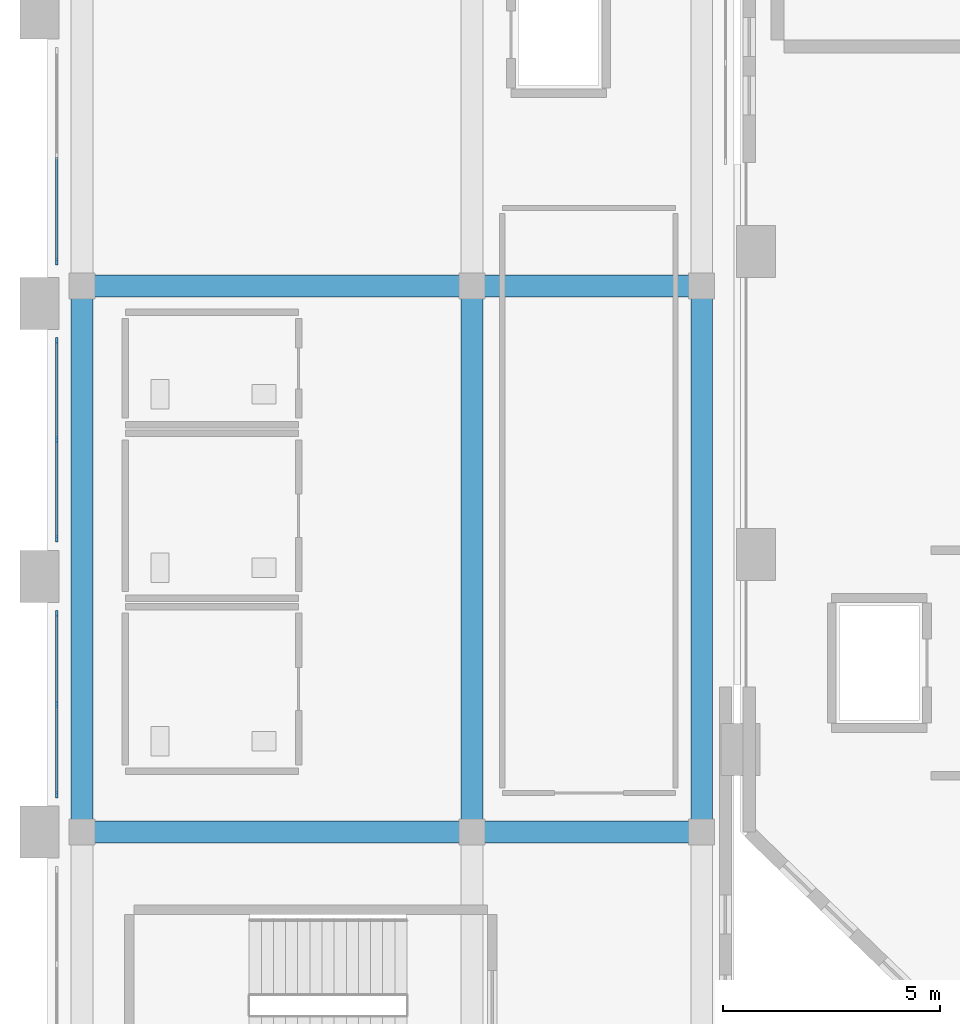
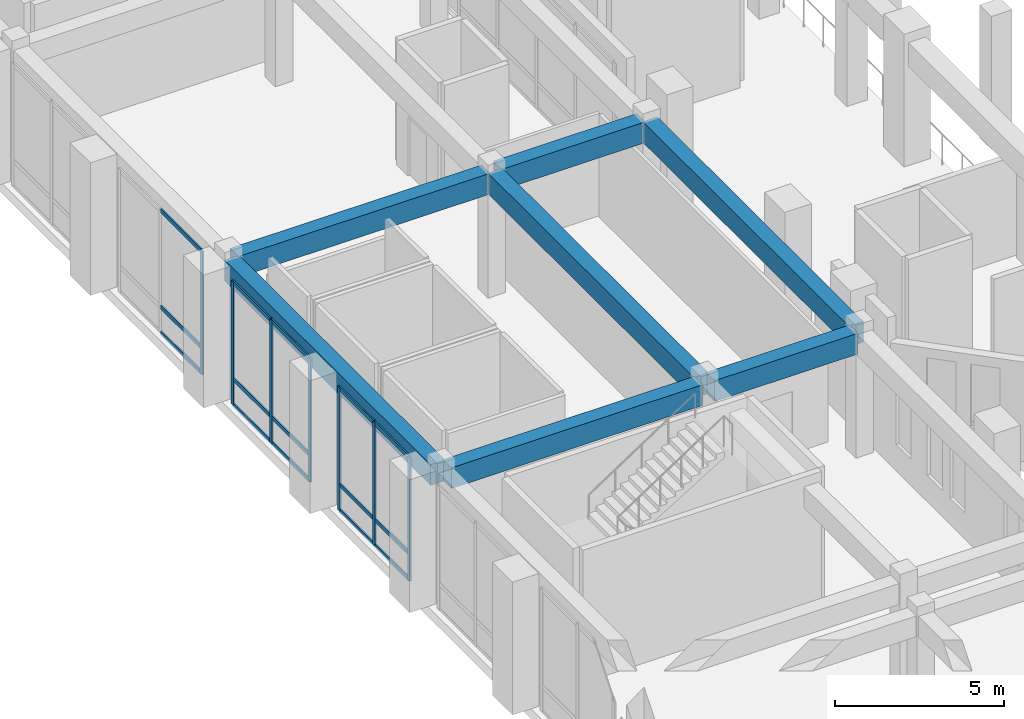
# One storey, part 22 of 126: 22 members, 7 beams, 3 elements without a shape of their own.
"""IFC4 building model written with IfcOpenShell, lengths in metres."""

from ifc_helpers import new_model, si_unit, derived_unit, direction, frame, origin, origin_2d, place, context, subcontext, project, spatial, rectangle, extrude, material, layer, layer_set, material_profile, profile_set, type_object, element, aggregate, save


model = new_model("IFC4")

# Units and contexts
model_context = context("Model", 3, precision=1e-05, world=origin(), true_north=direction((0.0, 1.0)))
body_context = subcontext(model_context, "Body", "Model", "MODEL_VIEW")
ifc_project = project(units=[si_unit("LENGTHUNIT", "METRE"), si_unit("AREAUNIT", "SQUARE_METRE"), si_unit("VOLUMEUNIT", "CUBIC_METRE"), si_unit("PLANEANGLEUNIT", "RADIAN"), si_unit("MASSUNIT", "GRAM", prefix="KILO"), derived_unit("THERMALTRANSMITTANCEUNIT", [(si_unit("MASSUNIT", "GRAM", prefix="KILO"), 1), (si_unit("TIMEUNIT", "SECOND"), -3), (si_unit("THERMODYNAMICTEMPERATUREUNIT", "KELVIN"), -1)])], contexts=[model_context])

# Site, building, storey
site_placement = place(None, origin())
site = spatial("IfcSite", under=ifc_project, at=site_placement, CompositionType="ELEMENT")
building_placement = place(site_placement, origin())
building = spatial("IfcBuilding", under=site, at=building_placement, Name="Valcora Ridge Arena", CompositionType="ELEMENT")
storey_placement = place(building_placement, frame((0.0, 0.0, 11.39990234375)))
storey = spatial("IfcBuildingStorey", under=building, at=storey_placement, Name="L02", CompositionType="ELEMENT", Elevation=11.39990234375)

# Beams
ifc_material_1 = material(Name="Concrete C40/50", Category="concrete")
ifc_material_profile_1 = material_profile(ifc_material_1, rectangle(XDim=0.5, YDim=0.75, at=origin_2d()), Name="RC 500x750")
ifc_profile_set_1 = profile_set([ifc_material_profile_1], Name="Concrete C40/50")
beam_type_1 = type_object("IfcBeamType", Name="TY-BEAM-B-RC500-X", PredefinedType="BEAM", material=ifc_profile_set_1)
beam_1_placement = place(storey_placement, frame((1.0, 32.60009765625, 4.0751953125), z_axis=(1.0, 0.0, 0.0), x_axis=(0.0, 1.0, 0.0)))
element("IfcBeam", 1, at=beam_1_placement, inside=storey, type_object=beam_type_1, Name="B-RC500-X BEM-B-RC500-X-0067", PredefinedType="BEAM", context=body_context, shape_type="SweptSolid", body=[
    extrude(rectangle(XDim=0.5, YDim=0.75, at=origin_2d()), origin(), (0.0, 0.0, 1.0), 8.60009765625),
])
beam_2_placement = place(storey_placement, frame((10.0, 32.60009765625, 4.0751953125), z_axis=(1.0, 0.0, 0.0), x_axis=(0.0, 1.0, 0.0)))
element("IfcBeam", 2, at=beam_2_placement, inside=storey, type_object=beam_type_1, Name="B-RC500-X BEM-B-RC500-X-0068", PredefinedType="BEAM", context=body_context, shape_type="SweptSolid", body=[
    extrude(rectangle(XDim=0.5, YDim=0.75, at=origin_2d()), origin(), (0.0, 0.0, 1.0), 4.89990234375),
])
beam_3_placement = place(storey_placement, frame((1.0, 45.199951171875, 4.0751953125), z_axis=(1.0, 0.0, 0.0), x_axis=(0.0, 1.0, 0.0)))
element("IfcBeam", 3, at=beam_3_placement, inside=storey, type_object=beam_type_1, Name="B-RC500-X BEM-B-RC500-X-0069", PredefinedType="BEAM", context=body_context, shape_type="SweptSolid", body=[
    extrude(rectangle(XDim=0.5, YDim=0.75, at=origin_2d()), origin(), (0.0, 0.0, 1.0), 8.60009765625),
])
beam_4_placement = place(storey_placement, frame((10.0, 45.199951171875, 4.0751953125), z_axis=(1.0, 0.0, 0.0), x_axis=(0.0, 1.0, 0.0)))
element("IfcBeam", 4, at=beam_4_placement, inside=storey, type_object=beam_type_1, Name="B-RC500-X BEM-B-RC500-X-0070", PredefinedType="BEAM", context=body_context, shape_type="SweptSolid", body=[
    extrude(rectangle(XDim=0.5, YDim=0.75, at=origin_2d()), origin(), (0.0, 0.0, 1.0), 4.89990234375),
])
ifc_material_profile_2 = material_profile(ifc_material_1, rectangle(XDim=0.5, YDim=0.75, at=origin_2d()), Name="RC 500x750")
ifc_profile_set_2 = profile_set([ifc_material_profile_2], Name="Concrete C40/50")
beam_type_2 = type_object("IfcBeamType", Name="TY-BEAM-B-RC500-Y", PredefinedType="BEAM", material=ifc_profile_set_2)
for number, where, z_axis, x_axis, name in (
    (5, (0.800048828125, 32.800048828125, 4.0751953125), (0.0, 1.0, 0.0), (-1.0, 0.0, 0.0), "B-RC500-Y BEM-B-RC500-Y-0070"),
    (6, (9.800048828125, 32.800048828125, 4.0751953125), (0.0, 1.0, 0.0), (-1.0, 0.0, 0.0), "B-RC500-Y BEM-B-RC500-Y-0076"),
    (7, (15.10009765625, 32.800048828125, 4.0751953125), (0.0, 1.0, 0.0), (-1.0, 0.0, 0.0), "B-RC500-Y BEM-B-RC500-Y-0081"),
):
    element("IfcBeam", number, at=place(storey_placement, frame(where, z_axis=z_axis, x_axis=x_axis)), inside=storey, type_object=beam_type_2, Name=name, PredefinedType="BEAM", context=body_context, shape_type="SweptSolid", body=[
        extrude(rectangle(XDim=0.5, YDim=0.75, at=origin_2d()), origin(), (0.0, 0.0, 1.0), 12.199951171875),
    ])

# Curtain wall, members
ifc_material_2 = material(Name="Anodised dark bronze architectural aluminium 6063-T6", Category="aluminium")
ifc_layer_1 = layer(ifc_material_2, 0.14990234375, Name="Anodised dark bronze architectural aluminium 6063-T6")
ifc_layer_set_1 = layer_set([ifc_layer_1], Name="Anodised dark bronze architectural aluminium 6063-T6")
curtain_wall_type_1 = type_object("IfcCurtainWallType", Name="TY-CURTAINWALL-CW-V4-CLUB-042X44", PredefinedType="NOTDEFINED", material=ifc_layer_set_1)
curtain_wall_1_placement = place(storey_placement, origin())
curtain_wall_1 = element("IfcCurtainWall", 8, at=curtain_wall_1_placement, inside=storey, type_object=curtain_wall_type_1, Name="CW-V4-CLUB-042X44 CW-0257", PredefinedType="NOTDEFINED")
ifc_material_profile_3 = material_profile(ifc_material_2, rectangle(XDim=0.050048828125, YDim=0.14990234375, at=origin_2d()), Name="ALU MULLION 50x150")
ifc_profile_set_3 = profile_set([ifc_material_profile_3], Name="Anodised dark bronze architectural aluminium 6063-T6")
member_type_1 = type_object("IfcMemberType", Name="TY-MEM-CWM-50x150", PredefinedType="MULLION", material=ifc_profile_set_3)
member_1_placement = place(storey_placement, frame((0.219970703125, 33.465087890625, 0.0), z_axis=(0.0, 0.0, 1.0), x_axis=(-1.0, 0.0, 0.0)))
member_1 = element("IfcMember", 9, at=member_1_placement, type_object=member_type_1, Name="CW-0257/CWM-50x150/M00", PredefinedType="MULLION", context=body_context, shape_type="SweptSolid", body=[
    extrude(rectangle(XDim=0.050048828125, YDim=0.14990234375, at=origin_2d()), origin(), (0.0, 0.0, 1.0), 4.4501953125),
])
member_2_placement = place(storey_placement, frame((0.219970703125, 35.550048828125, 0.0), z_axis=(0.0, 0.0, 1.0), x_axis=(-1.0, 0.0, 0.0)))
member_2 = element("IfcMember", 10, at=member_2_placement, type_object=member_type_1, Name="CW-0257/CWM-50x150/M01", PredefinedType="MULLION", context=body_context, shape_type="SweptSolid", body=[
    extrude(rectangle(XDim=0.050048828125, YDim=0.14990234375, at=origin_2d()), origin(), (0.0, 0.0, 1.0), 4.4501953125),
])
member_3_placement = place(storey_placement, frame((0.219970703125, 37.635009765625, 0.0), z_axis=(0.0, 0.0, 1.0), x_axis=(-1.0, 0.0, 0.0)))
member_3 = element("IfcMember", 11, at=member_3_placement, type_object=member_type_1, Name="CW-0257/CWM-50x150/M02", PredefinedType="MULLION", context=body_context, shape_type="SweptSolid", body=[
    extrude(rectangle(XDim=0.050048828125, YDim=0.14990234375, at=origin_2d()), origin(), (0.0, 0.0, 1.0), 4.4501953125),
])

ifc_layer_2 = layer(ifc_material_2, 0.14990234375, Name="Anodised dark bronze architectural aluminium 6063-T6")
ifc_layer_set_2 = layer_set([ifc_layer_2], Name="Anodised dark bronze architectural aluminium 6063-T6")
curtain_wall_type_2 = type_object("IfcCurtainWallType", Name="TY-CURTAINWALL-CW-V4-CLUB-046X44", PredefinedType="NOTDEFINED", material=ifc_layer_set_2)
curtain_wall_2_placement = place(storey_placement, origin())
curtain_wall_2 = element("IfcCurtainWall", 12, at=curtain_wall_2_placement, inside=storey, type_object=curtain_wall_type_2, Name="CW-V4-CLUB-046X44 CW-0258", PredefinedType="NOTDEFINED")
member_4_placement = place(storey_placement, frame((0.219970703125, 39.364990234375, 0.0), z_axis=(0.0, 0.0, 1.0), x_axis=(-1.0, 0.0, 0.0)))
member_4 = element("IfcMember", 13, at=member_4_placement, type_object=member_type_1, Name="CW-0258/CWM-50x150/M00", PredefinedType="MULLION", context=body_context, shape_type="SweptSolid", body=[
    extrude(rectangle(XDim=0.050048828125, YDim=0.14990234375, at=origin_2d()), origin(), (0.0, 0.0, 1.0), 4.4501953125),
])
member_5_placement = place(storey_placement, frame((0.219970703125, 41.64990234375, 0.0), z_axis=(0.0, 0.0, 1.0), x_axis=(-1.0, 0.0, 0.0)))
member_5 = element("IfcMember", 14, at=member_5_placement, type_object=member_type_1, Name="CW-0258/CWM-50x150/M01", PredefinedType="MULLION", context=body_context, shape_type="SweptSolid", body=[
    extrude(rectangle(XDim=0.050048828125, YDim=0.14990234375, at=origin_2d()), origin(), (0.0, 0.0, 1.0), 4.4501953125),
])
member_6_placement = place(storey_placement, frame((0.219970703125, 43.93505859375, 0.0), z_axis=(0.0, 0.0, 1.0), x_axis=(-1.0, 0.0, 0.0)))
member_6 = element("IfcMember", 15, at=member_6_placement, type_object=member_type_1, Name="CW-0258/CWM-50x150/M02", PredefinedType="MULLION", context=body_context, shape_type="SweptSolid", body=[
    extrude(rectangle(XDim=0.050048828125, YDim=0.14990234375, at=origin_2d()), origin(), (0.0, 0.0, 1.0), 4.4501953125),
])

# Curtain wall, member
ifc_layer_3 = layer(ifc_material_2, 0.14990234375, Name="Anodised dark bronze architectural aluminium 6063-T6")
ifc_layer_set_3 = layer_set([ifc_layer_3], Name="Anodised dark bronze architectural aluminium 6063-T6")
curtain_wall_type_3 = type_object("IfcCurtainWallType", Name="TY-CURTAINWALL-CW-V4-CLUB-049X44", PredefinedType="NOTDEFINED", material=ifc_layer_set_3)
curtain_wall_3_placement = place(storey_placement, origin())
curtain_wall_3 = element("IfcCurtainWall", 16, at=curtain_wall_3_placement, inside=storey, type_object=curtain_wall_type_3, Name="CW-V4-CLUB-049X44 CW-0259", PredefinedType="NOTDEFINED")
member_7_placement = place(storey_placement, frame((0.219970703125, 45.764892578125, 0.0), z_axis=(0.0, 0.0, 1.0), x_axis=(-1.0, 0.0, 0.0)))
member_7 = element("IfcMember", 17, at=member_7_placement, type_object=member_type_1, Name="CW-0259/CWM-50x150/M00", PredefinedType="MULLION", context=body_context, shape_type="SweptSolid", body=[
    extrude(rectangle(XDim=0.050048828125, YDim=0.14990234375, at=origin_2d()), origin(), (0.0, 0.0, 1.0), 4.4501953125),
])

# Member
ifc_material_profile_4 = material_profile(ifc_material_2, rectangle(XDim=0.050048828125, YDim=0.14990234375, at=origin_2d()), Name="ALU TRANSOM 50x150")
ifc_profile_set_4 = profile_set([ifc_material_profile_4], Name="Anodised dark bronze architectural aluminium 6063-T6")
member_type_2 = type_object("IfcMemberType", Name="TY-MEM-CWT-50x150", PredefinedType="USERDEFINED", material=ifc_profile_set_4)
member_8_placement = place(storey_placement, frame((0.219970703125, 33.489990234375, 0.025146484375), z_axis=(0.0, 1.0, 0.0), x_axis=(-1.0, 0.0, 0.0)))
member_8 = element("IfcMember", 18, at=member_8_placement, type_object=member_type_2, Name="CW-0257/CWT-50x150/T00-00", ObjectType="TRANSOM", PredefinedType="USERDEFINED", context=body_context, shape_type="SweptSolid", body=[
    extrude(rectangle(XDim=0.050048828125, YDim=0.14990234375, at=origin_2d()), origin(), (0.0, 0.0, 1.0), 2.034912109375),
])

member_9_placement = place(storey_placement, frame((0.219970703125, 33.489990234375, 0.9501953125), z_axis=(0.0, 1.0, 0.0), x_axis=(-1.0, 0.0, 0.0)))
member_9 = element("IfcMember", 19, at=member_9_placement, type_object=member_type_2, Name="CW-0257/CWT-50x150/T00-01", ObjectType="TRANSOM", PredefinedType="USERDEFINED", context=body_context, shape_type="SweptSolid", body=[
    extrude(rectangle(XDim=0.050048828125, YDim=0.14990234375, at=origin_2d()), origin(), (0.0, 0.0, 1.0), 2.034912109375),
])

member_10_placement = place(storey_placement, frame((0.219970703125, 33.489990234375, 4.425048828125), z_axis=(0.0, 1.0, 0.0), x_axis=(-1.0, 0.0, 0.0)))
member_10 = element("IfcMember", 20, at=member_10_placement, type_object=member_type_2, Name="CW-0257/CWT-50x150/T00-02", ObjectType="TRANSOM", PredefinedType="USERDEFINED", context=body_context, shape_type="SweptSolid", body=[
    extrude(rectangle(XDim=0.050048828125, YDim=0.14990234375, at=origin_2d()), origin(), (0.0, 0.0, 1.0), 2.034912109375),
])

member_11_placement = place(storey_placement, frame((0.219970703125, 35.574951171875, 0.025146484375), z_axis=(0.0, 1.0, 0.0), x_axis=(-1.0, 0.0, 0.0)))
member_11 = element("IfcMember", 21, at=member_11_placement, type_object=member_type_2, Name="CW-0257/CWT-50x150/T01-00", ObjectType="TRANSOM", PredefinedType="USERDEFINED", context=body_context, shape_type="SweptSolid", body=[
    extrude(rectangle(XDim=0.050048828125, YDim=0.14990234375, at=origin_2d()), origin(), (0.0, 0.0, 1.0), 2.03515625),
])

member_12_placement = place(storey_placement, frame((0.219970703125, 35.574951171875, 0.9501953125), z_axis=(0.0, 1.0, 0.0), x_axis=(-1.0, 0.0, 0.0)))
member_12 = element("IfcMember", 22, at=member_12_placement, type_object=member_type_2, Name="CW-0257/CWT-50x150/T01-01", ObjectType="TRANSOM", PredefinedType="USERDEFINED", context=body_context, shape_type="SweptSolid", body=[
    extrude(rectangle(XDim=0.050048828125, YDim=0.14990234375, at=origin_2d()), origin(), (0.0, 0.0, 1.0), 2.03515625),
])

member_13_placement = place(storey_placement, frame((0.219970703125, 35.574951171875, 4.425048828125), z_axis=(0.0, 1.0, 0.0), x_axis=(-1.0, 0.0, 0.0)))
member_13 = element("IfcMember", 23, at=member_13_placement, type_object=member_type_2, Name="CW-0257/CWT-50x150/T01-02", ObjectType="TRANSOM", PredefinedType="USERDEFINED", context=body_context, shape_type="SweptSolid", body=[
    extrude(rectangle(XDim=0.050048828125, YDim=0.14990234375, at=origin_2d()), origin(), (0.0, 0.0, 1.0), 2.03515625),
])

aggregate(curtain_wall_1, [member_1, member_2, member_3, member_8, member_9, member_10, member_11, member_12, member_13])

member_14_placement = place(storey_placement, frame((0.219970703125, 39.389892578125, 0.025146484375), z_axis=(0.0, 1.0, 0.0), x_axis=(-1.0, 0.0, 0.0)))
member_14 = element("IfcMember", 24, at=member_14_placement, type_object=member_type_2, Name="CW-0258/CWT-50x150/T00-00", ObjectType="TRANSOM", PredefinedType="USERDEFINED", context=body_context, shape_type="SweptSolid", body=[
    extrude(rectangle(XDim=0.050048828125, YDim=0.14990234375, at=origin_2d()), origin(), (0.0, 0.0, 1.0), 2.235107421875),
])

member_15_placement = place(storey_placement, frame((0.219970703125, 39.389892578125, 0.9501953125), z_axis=(0.0, 1.0, 0.0), x_axis=(-1.0, 0.0, 0.0)))
member_15 = element("IfcMember", 25, at=member_15_placement, type_object=member_type_2, Name="CW-0258/CWT-50x150/T00-01", ObjectType="TRANSOM", PredefinedType="USERDEFINED", context=body_context, shape_type="SweptSolid", body=[
    extrude(rectangle(XDim=0.050048828125, YDim=0.14990234375, at=origin_2d()), origin(), (0.0, 0.0, 1.0), 2.235107421875),
])

member_16_placement = place(storey_placement, frame((0.219970703125, 39.389892578125, 4.425048828125), z_axis=(0.0, 1.0, 0.0), x_axis=(-1.0, 0.0, 0.0)))
member_16 = element("IfcMember", 26, at=member_16_placement, type_object=member_type_2, Name="CW-0258/CWT-50x150/T00-02", ObjectType="TRANSOM", PredefinedType="USERDEFINED", context=body_context, shape_type="SweptSolid", body=[
    extrude(rectangle(XDim=0.050048828125, YDim=0.14990234375, at=origin_2d()), origin(), (0.0, 0.0, 1.0), 2.235107421875),
])

member_17_placement = place(storey_placement, frame((0.219970703125, 41.675048828125, 0.025146484375), z_axis=(0.0, 1.0, 0.0), x_axis=(-1.0, 0.0, 0.0)))
member_17 = element("IfcMember", 27, at=member_17_placement, type_object=member_type_2, Name="CW-0258/CWT-50x150/T01-00", ObjectType="TRANSOM", PredefinedType="USERDEFINED", context=body_context, shape_type="SweptSolid", body=[
    extrude(rectangle(XDim=0.050048828125, YDim=0.14990234375, at=origin_2d()), origin(), (0.0, 0.0, 1.0), 2.23486328125),
])

member_18_placement = place(storey_placement, frame((0.219970703125, 41.675048828125, 0.9501953125), z_axis=(0.0, 1.0, 0.0), x_axis=(-1.0, 0.0, 0.0)))
member_18 = element("IfcMember", 28, at=member_18_placement, type_object=member_type_2, Name="CW-0258/CWT-50x150/T01-01", ObjectType="TRANSOM", PredefinedType="USERDEFINED", context=body_context, shape_type="SweptSolid", body=[
    extrude(rectangle(XDim=0.050048828125, YDim=0.14990234375, at=origin_2d()), origin(), (0.0, 0.0, 1.0), 2.23486328125),
])

member_19_placement = place(storey_placement, frame((0.219970703125, 41.675048828125, 4.425048828125), z_axis=(0.0, 1.0, 0.0), x_axis=(-1.0, 0.0, 0.0)))
member_19 = element("IfcMember", 29, at=member_19_placement, type_object=member_type_2, Name="CW-0258/CWT-50x150/T01-02", ObjectType="TRANSOM", PredefinedType="USERDEFINED", context=body_context, shape_type="SweptSolid", body=[
    extrude(rectangle(XDim=0.050048828125, YDim=0.14990234375, at=origin_2d()), origin(), (0.0, 0.0, 1.0), 2.23486328125),
])

aggregate(curtain_wall_2, [member_4, member_5, member_6, member_14, member_15, member_16, member_17, member_18, member_19])

member_20_placement = place(storey_placement, frame((0.219970703125, 45.7900390625, 0.025146484375), z_axis=(0.0, 1.0, 0.0), x_axis=(-1.0, 0.0, 0.0)))
member_20 = element("IfcMember", 30, at=member_20_placement, type_object=member_type_2, Name="CW-0259/CWT-50x150/T00-00", ObjectType="TRANSOM", PredefinedType="USERDEFINED", context=body_context, shape_type="SweptSolid", body=[
    extrude(rectangle(XDim=0.050048828125, YDim=0.14990234375, at=origin_2d()), origin(), (0.0, 0.0, 1.0), 2.385009765625),
])

member_21_placement = place(storey_placement, frame((0.219970703125, 45.7900390625, 0.9501953125), z_axis=(0.0, 1.0, 0.0), x_axis=(-1.0, 0.0, 0.0)))
member_21 = element("IfcMember", 31, at=member_21_placement, type_object=member_type_2, Name="CW-0259/CWT-50x150/T00-01", ObjectType="TRANSOM", PredefinedType="USERDEFINED", context=body_context, shape_type="SweptSolid", body=[
    extrude(rectangle(XDim=0.050048828125, YDim=0.14990234375, at=origin_2d()), origin(), (0.0, 0.0, 1.0), 2.385009765625),
])

member_22_placement = place(storey_placement, frame((0.219970703125, 45.7900390625, 4.425048828125), z_axis=(0.0, 1.0, 0.0), x_axis=(-1.0, 0.0, 0.0)))
member_22 = element("IfcMember", 32, at=member_22_placement, type_object=member_type_2, Name="CW-0259/CWT-50x150/T00-02", ObjectType="TRANSOM", PredefinedType="USERDEFINED", context=body_context, shape_type="SweptSolid", body=[
    extrude(rectangle(XDim=0.050048828125, YDim=0.14990234375, at=origin_2d()), origin(), (0.0, 0.0, 1.0), 2.385009765625),
])

aggregate(curtain_wall_3, [member_7, member_20, member_21, member_22])

save(model, "model.ifc")
